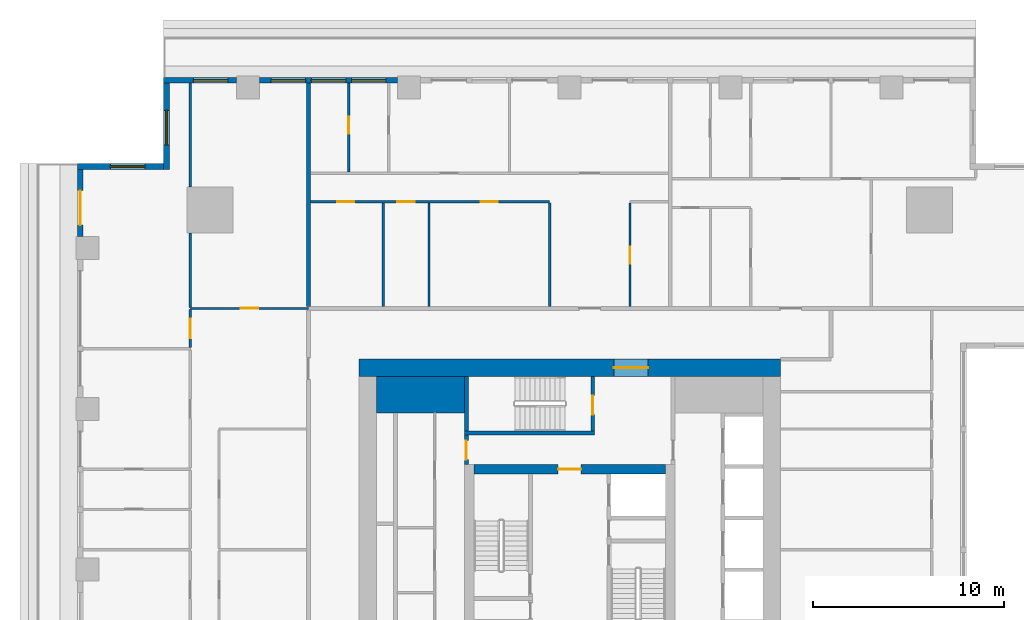
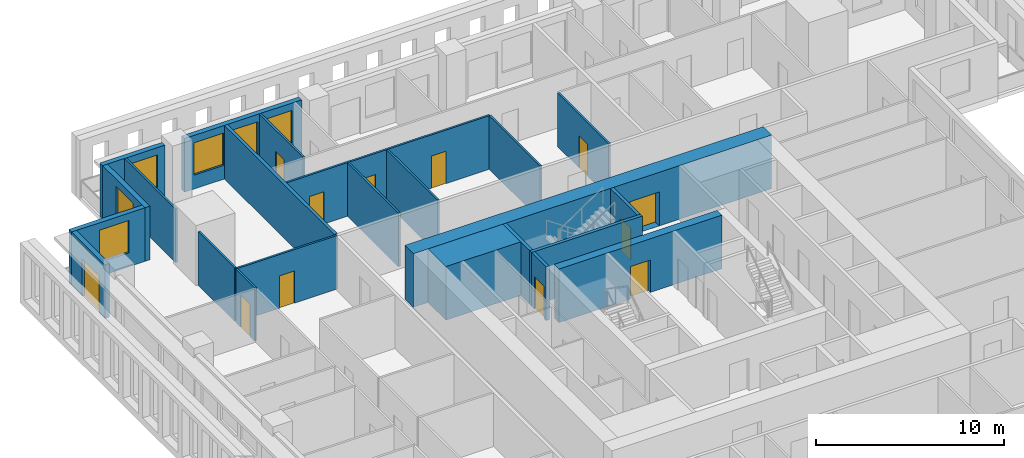
# One storey, part 7 of 15: 23 walls, 12 doors, 6 windows, 18 openings.
"""IFC4 building model written with IfcOpenShell, lengths in metres."""

from ifc_helpers import new_model, si_unit, direction, frame, frame_2d, origin, place, context, subcontext, project, spatial, rectangle, extrude, material, layer, layer_set, type_object, element, fill, save


model = new_model("IFC4")

# Units and contexts
model_context = context("Model", 3, precision=1e-05, world=origin(), true_north=direction((0.0, 1.0)))
body_context = subcontext(model_context, "Body", "Model", "MODEL_VIEW")
ifc_project = project(units=[si_unit("LENGTHUNIT", "METRE"), si_unit("AREAUNIT", "SQUARE_METRE"), si_unit("VOLUMEUNIT", "CUBIC_METRE"), si_unit("PLANEANGLEUNIT", "RADIAN"), si_unit("MASSUNIT", "GRAM", prefix="KILO")], contexts=[model_context])

# Site, building, storey
site_placement = place(None, origin())
site = spatial("IfcSite", under=ifc_project, at=site_placement, CompositionType="ELEMENT")
building_placement = place(site_placement, origin())
building = spatial("IfcBuilding", under=site, at=building_placement, Name="Khepri Terraces", CompositionType="ELEMENT")
storey_placement = place(building_placement, frame((0.0, 0.0, 223.5)))
storey = spatial("IfcBuildingStorey", under=building, at=storey_placement, Name="L53", CompositionType="ELEMENT", Elevation=223.5)

# Walls
ifc_material_1 = material(Name="Concrete C50/60", Category="concrete")
ifc_layer_1 = layer(ifc_material_1, 1.89990234375, Name="Concrete C50/60", Category="concrete")
ifc_layer_set_1 = layer_set([ifc_layer_1], Name="Concrete C50/60")
wall_type_1 = type_object("IfcWallType", Name="Core wall 1900 C50/60", PredefinedType="SHEAR", material=ifc_layer_set_1)
wall_1_placement = place(storey_placement, frame((-10.10009765625, 9.14990234375, 0.0), z_axis=(0.0, 0.0, 1.0), x_axis=(1.0, 0.0, 0.0)))
element("IfcWall", 1, at=wall_1_placement, inside=storey, type_object=wall_type_1, Name="Core wall PR03 L53", PredefinedType="SHEAR", context=body_context, shape_type="SweptSolid", body=[
    extrude(rectangle(XDim=4.60009765625, YDim=1.89990234375, at=frame_2d((2.300048828125, 0.0))), origin(), (0.0, 0.0, 1.0), 3.47998046875),
])
ifc_layer_2 = layer(ifc_material_1, 0.199951171875, Name="Concrete C50/60", Category="concrete")
ifc_layer_set_2 = layer_set([ifc_layer_2], Name="Concrete C50/60")
wall_type_2 = type_object("IfcWallType", Name="Core wall 200 C50/60", PredefinedType="SHEAR", material=ifc_layer_set_2)
wall_2_placement = place(storey_placement, frame((-5.5, 7.14990234375, 0.0), z_axis=(0.0, 0.0, 1.0), x_axis=(1.0, 0.0, 0.0)))
element("IfcWall", 2, at=wall_2_placement, inside=storey, type_object=wall_type_2, Name="Core wall ST05 L53", PredefinedType="SHEAR", context=body_context, shape_type="SweptSolid", body=[
    extrude(rectangle(XDim=6.800048828125, YDim=0.199951171875, at=frame_2d((3.39990234375, 0.0))), origin(), (0.0, 0.0, 1.0), 3.47998046875),
])
wall_3_placement = place(storey_placement, frame((-5.39990234375, 7.25, 0.0), z_axis=(0.0, 0.0, 1.0), x_axis=(0.0, 1.0, 0.0)))
element("IfcWall", 3, at=wall_3_placement, inside=storey, type_object=wall_type_2, Name="Core wall ST06 L53", PredefinedType="SHEAR", context=body_context, shape_type="SweptSolid", body=[
    extrude(rectangle(XDim=2.85009765625, YDim=0.199951171875, at=frame_2d((1.425048828125, 0.0))), origin(), (0.0, 0.0, 1.0), 3.47998046875),
])

# Wall, opening, door
wall_4_placement = place(storey_placement, frame((1.199951171875, 7.25, 0.0), z_axis=(0.0, 0.0, 1.0), x_axis=(0.0, 1.0, 0.0)))
wall_4 = element("IfcWall", 4, at=wall_4_placement, inside=storey, type_object=wall_type_2, Name="Core wall ST07 L53", PredefinedType="SHEAR", context=body_context, shape_type="SweptSolid", body=[
    extrude(rectangle(XDim=2.85009765625, YDim=0.199951171875, at=frame_2d((1.425048828125, 0.0))), origin(), (0.0, 0.0, 1.0), 3.47998046875),
])
opening_1_placement = place(wall_4_placement, frame((0.85009765625, 0.0, 0.0)))
opening_1 = element("IfcOpeningElement", 5, at=opening_1_placement, cuts=wall_4, Name="Opening L53-C15", PredefinedType="OPENING", context=body_context, shape_type="SweptSolid", body=[
    extrude(rectangle(XDim=1.0, YDim=2.10009765625, at=frame_2d((0.5, 1.050048828125))), frame((0.0, 0.10986328125, 0.0), z_axis=(0.0, -1.0, 0.0), x_axis=(1.0, 0.0, 0.0)), (0.0, 0.0, 1.0), 0.219970703125),
])
ifc_material_2 = material(Name="Painted steel", Category="steel")
door_type_1 = type_object("IfcDoorType", Name="DR-CORE-STAIR-1000", OperationType="NOTDEFINED", PredefinedType="DOOR", material=ifc_material_2)
door_1_placement = place(opening_1_placement, origin())
door_1 = element("IfcDoor", 6, at=door_1_placement, inside=storey, type_object=door_type_1, Name="Stair door L53-C15", OperationType="SINGLE_SWING_LEFT", OverallHeight=2.10009765625, OverallWidth=1.0, PredefinedType="DOOR", context=body_context, shape_type="SweptSolid", body=[
    extrude(rectangle(XDim=1.0, YDim=2.10009765625, at=frame_2d((0.5, 1.050048828125))), frame((0.0, 0.02490234375, 0.0), z_axis=(0.0, -1.0, 0.0), x_axis=(1.0, 0.0, 0.0)), (0.0, 0.0, 1.0), 0.050048828125),
])
fill(opening_1, door_1)

ifc_layer_3 = layer(ifc_material_1, 0.5, Name="Concrete C50/60", Category="concrete")
ifc_layer_set_3 = layer_set([ifc_layer_3], Name="Concrete C50/60")
wall_type_3 = type_object("IfcWallType", Name="Core wall 500 C50/60", PredefinedType="SHEAR", material=ifc_layer_set_3)
wall_5_placement = place(storey_placement, frame((-5.0, 5.25, 0.0), z_axis=(0.0, 0.0, 1.0), x_axis=(1.0, 0.0, 0.0)))
wall_5 = element("IfcWall", 7, at=wall_5_placement, inside=storey, type_object=wall_type_3, Name="Core wall BX04 L53", PredefinedType="SHEAR", context=body_context, shape_type="SweptSolid", body=[
    extrude(rectangle(XDim=10.0, YDim=0.5, at=frame_2d((5.0, 0.0))), origin(), (0.0, 0.0, 1.0), 3.47998046875),
])
opening_2_placement = place(wall_5_placement, frame((4.39990234375, 0.0, 0.0)))
opening_2 = element("IfcOpeningElement", 8, at=opening_2_placement, cuts=wall_5, Name="Opening L53-C13", PredefinedType="OPENING", context=body_context, shape_type="SweptSolid", body=[
    extrude(rectangle(XDim=1.199951171875, YDim=2.10009765625, at=frame_2d((0.60009765625, 1.050048828125))), frame((0.0, 0.260009765625, 0.0), z_axis=(0.0, -1.0, 0.0), x_axis=(1.0, 0.0, 0.0)), (0.0, 0.0, 1.0), 0.52001953125),
])
door_type_2 = type_object("IfcDoorType", Name="DR-CORE-FF-LOBBY-1200", OperationType="NOTDEFINED", PredefinedType="DOOR", material=ifc_material_2)
door_2_placement = place(opening_2_placement, frame((1.199951171875, 0.0, 0.0), z_axis=(0.0, 0.0, 1.0), x_axis=(-1.0, 0.0, 0.0)))
door_2 = element("IfcDoor", 9, at=door_2_placement, inside=storey, type_object=door_type_2, Name="Firefighting lobby door L53-C13", OperationType="SINGLE_SWING_LEFT", OverallHeight=2.10009765625, OverallWidth=1.199951171875, PredefinedType="DOOR", context=body_context, shape_type="SweptSolid", body=[
    extrude(rectangle(XDim=1.199951171875, YDim=2.10009765625, at=frame_2d((0.60009765625, 1.050048828125))), frame((0.0, 0.02490234375, 0.0), z_axis=(0.0, -1.0, 0.0), x_axis=(1.0, 0.0, 0.0)), (0.0, 0.0, 1.0), 0.050048828125),
])
fill(opening_2, door_2)

ifc_layer_4 = layer(ifc_material_1, 0.89990234375, Name="Concrete C50/60", Category="concrete")
ifc_layer_set_4 = layer_set([ifc_layer_4], Name="Concrete C50/60")
wall_type_4 = type_object("IfcWallType", Name="Core wall 900 C50/60", PredefinedType="SHEAR", material=ifc_layer_set_4)
wall_6_placement = place(storey_placement, frame((-11.0, 10.550048828125, 0.0), z_axis=(0.0, 0.0, 1.0), x_axis=(1.0, 0.0, 0.0)))
wall_6 = element("IfcWall", 10, at=wall_6_placement, inside=storey, type_object=wall_type_4, Name="Core wall OW-N L53", PredefinedType="SHEAR", context=body_context, shape_type="SweptSolid", body=[
    extrude(rectangle(XDim=22.0, YDim=0.89990234375, at=frame_2d((11.0, 0.0))), origin(), (0.0, 0.0, 1.0), 3.47998046875),
])
opening_3_placement = place(wall_6_placement, frame((13.300048828125, 0.0, 0.0)))
opening_3 = element("IfcOpeningElement", 11, at=opening_3_placement, cuts=wall_6, Name="Opening L53-C20", PredefinedType="OPENING", context=body_context, shape_type="SweptSolid", body=[
    extrude(rectangle(XDim=1.800048828125, YDim=2.199951171875, at=frame_2d((0.89990234375, 1.10009765625))), frame((0.0, 0.4599609375, 0.0), z_axis=(0.0, -1.0, 0.0), x_axis=(1.0, 0.0, 0.0)), (0.0, 0.0, 1.0), 0.919921875),
])
door_type_3 = type_object("IfcDoorType", Name="DR-CORE-ENTRANCE-1800", OperationType="NOTDEFINED", PredefinedType="DOOR", material=ifc_material_2)
door_3_placement = place(opening_3_placement, origin())
door_3 = element("IfcDoor", 12, at=door_3_placement, inside=storey, type_object=door_type_3, Name="Core entrance door pair L53-C20", OperationType="DOUBLE_DOOR_SINGLE_SWING", OverallHeight=2.199951171875, OverallWidth=1.800048828125, PredefinedType="DOOR", context=body_context, shape_type="SweptSolid", body=[
    extrude(rectangle(XDim=1.800048828125, YDim=2.199951171875, at=frame_2d((0.89990234375, 1.10009765625))), frame((0.0, 0.02490234375, 0.0), z_axis=(0.0, -1.0, 0.0), x_axis=(1.0, 0.0, 0.0)), (0.0, 0.0, 1.0), 0.050048828125),
])
fill(opening_3, door_3)

ifc_material_3 = material(Name="Fire-rated gypsum board partition")
ifc_layer_5 = layer(ifc_material_3, 0.199951171875, Name="Fire-rated gypsum board partition")
ifc_layer_set_5 = layer_set([ifc_layer_5], Name="Fire-rated gypsum board partition")
wall_type_5 = type_object("IfcWallType", Name="WL-CORE-PART-200", PredefinedType="PARTITIONING", material=ifc_layer_set_5)
wall_7_placement = place(storey_placement, frame((-5.39990234375, 5.5, 0.0), z_axis=(0.0, 0.0, 1.0), x_axis=(0.0, 1.0, 0.0)))
wall_7 = element("IfcWall", 13, at=wall_7_placement, inside=storey, type_object=wall_type_5, Name="Core partition PT11 L53", PredefinedType="PARTITIONING", context=body_context, shape_type="SweptSolid", body=[
    extrude(rectangle(XDim=1.550048828125, YDim=0.199951171875, at=frame_2d((0.77490234375, 0.0))), origin(), (0.0, 0.0, 1.0), 3.47998046875),
])
opening_4_placement = place(wall_7_placement, frame((0.25, 0.0, 0.0)))
opening_4 = element("IfcOpeningElement", 14, at=opening_4_placement, cuts=wall_7, Name="Opening L53-C16", PredefinedType="OPENING", context=body_context, shape_type="SweptSolid", body=[
    extrude(rectangle(XDim=1.0, YDim=2.10009765625, at=frame_2d((0.5, 1.050048828125))), frame((0.0, 0.10986328125, 0.0), z_axis=(0.0, -1.0, 0.0), x_axis=(1.0, 0.0, 0.0)), (0.0, 0.0, 1.0), 0.219970703125),
])
door_type_4 = type_object("IfcDoorType", Name="DR-CORE-LOBBY-1000", OperationType="NOTDEFINED", PredefinedType="DOOR", material=ifc_material_2)
door_4_placement = place(opening_4_placement, frame((1.0, 0.0, 0.0), z_axis=(0.0, 0.0, 1.0), x_axis=(-1.0, 0.0, 0.0)))
door_4 = element("IfcDoor", 15, at=door_4_placement, inside=storey, type_object=door_type_4, Name="Lobby door L53-C16", OperationType="SINGLE_SWING_RIGHT", OverallHeight=2.10009765625, OverallWidth=1.0, PredefinedType="DOOR", context=body_context, shape_type="SweptSolid", body=[
    extrude(rectangle(XDim=1.0, YDim=2.10009765625, at=frame_2d((0.5, 1.050048828125))), frame((0.0, 0.02490234375, 0.0), z_axis=(0.0, -1.0, 0.0), x_axis=(1.0, 0.0, 0.0)), (0.0, 0.0, 1.0), 0.050048828125),
])
fill(opening_4, door_4)

# Wall
ifc_material_4 = material(Name="Fire-rated gypsum plasterboard partition, mineral wool")
ifc_layer_6 = layer(ifc_material_4, 0.199951171875, Name="Fire-rated gypsum plasterboard partition, mineral wool")
ifc_layer_set_6 = layer_set([ifc_layer_6], Name="Fire-rated gypsum plasterboard partition, mineral wool")
wall_type_6 = type_object("IfcWallType", Name="WL-CORR-200", PredefinedType="PARTITIONING", material=ifc_layer_set_6)
wall_8_placement = place(storey_placement, frame((-13.64990234375, 13.75, 0.0), z_axis=(0.0, 0.0, 1.0), x_axis=(0.0, 1.0, 0.0)))
element("IfcWall", 16, at=wall_8_placement, inside=storey, type_object=wall_type_6, Name="Partition P-072 L53", PredefinedType="PARTITIONING", context=body_context, shape_type="SweptSolid", body=[
    extrude(rectangle(XDim=11.669921875, YDim=0.199951171875, at=frame_2d((5.8349609375, 0.0))), origin(), (0.0, 0.0, 1.0), 3.47998046875),
])

# Wall, openings, windows
ifc_material_5 = material(Name="Precast concrete C50/60 warm stone", Category="masonry")
ifc_layer_7 = layer(ifc_material_5, 0.300048828125, Name="Precast concrete C50/60 warm stone", Category="masonry")
ifc_layer_set_7 = layer_set([ifc_layer_7], Name="Precast concrete C50/60 warm stone")
wall_type_7 = type_object("IfcWallType", Name="WL-EXT-PRECAST-300", PredefinedType="STANDARD", material=ifc_layer_set_7)
wall_9_placement = place(storey_placement, frame((-9.0, 25.570068359375, 0.0), z_axis=(0.0, 0.0, 1.0), x_axis=(-1.0, 0.0, 0.0)))
wall_9 = element("IfcWall", 17, at=wall_9_placement, inside=storey, type_object=wall_type_7, Name="External wall L53 N", PredefinedType="STANDARD", context=body_context, shape_type="SweptSolid", body=[
    extrude(rectangle(XDim=7.199951171875, YDim=0.300048828125, at=frame_2d((3.60009765625, 0.0))), origin(), (0.0, 0.0, 1.0), 3.47998046875),
])
opening_5_placement = place(wall_9_placement, frame((0.60009765625, 0.0, 0.89990234375)))
opening_5 = element("IfcOpeningElement", 18, at=opening_5_placement, cuts=wall_9, Name="Opening W1", PredefinedType="OPENING", context=body_context, shape_type="SweptSolid", body=[
    extrude(rectangle(XDim=1.800048828125, YDim=2.10009765625, at=frame_2d((0.89990234375, 1.050048828125))), frame((0.0, 0.16015625, 0.0), z_axis=(0.0, -1.0, 0.0), x_axis=(1.0, 0.0, 0.0)), (0.0, 0.0, 1.0), 0.320068359375),
])
opening_6_placement = place(wall_9_placement, frame((2.699951171875, 0.0, 0.89990234375)))
opening_6 = element("IfcOpeningElement", 19, at=opening_6_placement, cuts=wall_9, Name="Opening W1", PredefinedType="OPENING", context=body_context, shape_type="SweptSolid", body=[
    extrude(rectangle(XDim=1.800048828125, YDim=2.10009765625, at=frame_2d((0.89990234375, 1.050048828125))), frame((0.0, 0.16015625, 0.0), z_axis=(0.0, -1.0, 0.0), x_axis=(1.0, 0.0, 0.0)), (0.0, 0.0, 1.0), 0.320068359375),
])
opening_7_placement = place(wall_9_placement, frame((4.800048828125, 0.0, 0.89990234375)))
opening_7 = element("IfcOpeningElement", 20, at=opening_7_placement, cuts=wall_9, Name="Opening W1", PredefinedType="OPENING", context=body_context, shape_type="SweptSolid", body=[
    extrude(rectangle(XDim=1.800048828125, YDim=2.10009765625, at=frame_2d((0.89990234375, 1.050048828125))), frame((0.0, 0.16015625, 0.0), z_axis=(0.0, -1.0, 0.0), x_axis=(1.0, 0.0, 0.0)), (0.0, 0.0, 1.0), 0.320068359375),
])
ifc_material_6 = material(Name="Clear glass", Category="glass")
window_type = type_object("IfcWindowType", Name="WIN-RES-1800x2100", PartitioningType="SINGLE_PANEL", PredefinedType="WINDOW", material=ifc_material_6)
window_1_placement = place(opening_5_placement, origin())
window_1 = element("IfcWindow", 21, at=window_1_placement, inside=storey, type_object=window_type, Name="Window L53 N", OverallHeight=2.10009765625, OverallWidth=1.800048828125, PartitioningType="SINGLE_PANEL", PredefinedType="WINDOW", context=body_context, shape_type="SweptSolid", body=[
    extrude(rectangle(XDim=1.800048828125, YDim=2.10009765625, at=frame_2d((0.89990234375, 1.050048828125))), frame((0.0, 0.030029296875, 0.0), z_axis=(0.0, -1.0, 0.0), x_axis=(1.0, 0.0, 0.0)), (0.0, 0.0, 1.0), 0.06005859375),
])
fill(opening_5, window_1)
window_2_placement = place(opening_6_placement, origin())
window_2 = element("IfcWindow", 22, at=window_2_placement, inside=storey, type_object=window_type, Name="Window L53 N", OverallHeight=2.10009765625, OverallWidth=1.800048828125, PartitioningType="SINGLE_PANEL", PredefinedType="WINDOW", context=body_context, shape_type="SweptSolid", body=[
    extrude(rectangle(XDim=1.800048828125, YDim=2.10009765625, at=frame_2d((0.89990234375, 1.050048828125))), frame((0.0, 0.030029296875, 0.0), z_axis=(0.0, -1.0, 0.0), x_axis=(1.0, 0.0, 0.0)), (0.0, 0.0, 1.0), 0.06005859375),
])
fill(opening_6, window_2)
window_3_placement = place(opening_7_placement, origin())
window_3 = element("IfcWindow", 23, at=window_3_placement, inside=storey, type_object=window_type, Name="Window L53 N", OverallHeight=2.10009765625, OverallWidth=1.800048828125, PartitioningType="SINGLE_PANEL", PredefinedType="WINDOW", context=body_context, shape_type="SweptSolid", body=[
    extrude(rectangle(XDim=1.800048828125, YDim=2.10009765625, at=frame_2d((0.89990234375, 1.050048828125))), frame((0.0, 0.030029296875, 0.0), z_axis=(0.0, -1.0, 0.0), x_axis=(1.0, 0.0, 0.0)), (0.0, 0.0, 1.0), 0.06005859375),
])
fill(opening_7, window_3)

# Wall, opening, window
wall_10_placement = place(storey_placement, frame((-17.39990234375, 25.570068359375, 0.0), z_axis=(0.0, 0.0, 1.0), x_axis=(-1.0, 0.0, 0.0)))
wall_10 = element("IfcWall", 24, at=wall_10_placement, inside=storey, type_object=wall_type_7, Name="External wall L53 N", PredefinedType="STANDARD", context=body_context, shape_type="SweptSolid", body=[
    extrude(rectangle(XDim=3.820068359375, YDim=0.300048828125, at=frame_2d((1.91015625, 0.0))), origin(), (0.0, 0.0, 1.0), 3.47998046875),
])
opening_8_placement = place(wall_10_placement, frame((0.4599609375, 0.0, 0.89990234375)))
opening_8 = element("IfcOpeningElement", 25, at=opening_8_placement, cuts=wall_10, Name="Opening W1", PredefinedType="OPENING", context=body_context, shape_type="SweptSolid", body=[
    extrude(rectangle(XDim=1.800048828125, YDim=2.10009765625, at=frame_2d((0.89990234375, 1.050048828125))), frame((0.0, 0.16015625, 0.0), z_axis=(0.0, -1.0, 0.0), x_axis=(1.0, 0.0, 0.0)), (0.0, 0.0, 1.0), 0.320068359375),
])
window_4_placement = place(opening_8_placement, origin())
window_4 = element("IfcWindow", 26, at=window_4_placement, inside=storey, type_object=window_type, Name="Window L53 N", OverallHeight=2.10009765625, OverallWidth=1.800048828125, PartitioningType="SINGLE_PANEL", PredefinedType="WINDOW", context=body_context, shape_type="SweptSolid", body=[
    extrude(rectangle(XDim=1.800048828125, YDim=2.10009765625, at=frame_2d((0.89990234375, 1.050048828125))), frame((0.0, 0.030029296875, 0.0), z_axis=(0.0, -1.0, 0.0), x_axis=(1.0, 0.0, 0.0)), (0.0, 0.0, 1.0), 0.06005859375),
])
fill(opening_8, window_4)

wall_11_placement = place(storey_placement, frame((-21.070068359375, 25.419921875, 0.0), z_axis=(0.0, 0.0, 1.0), x_axis=(0.0, -1.0, 0.0)))
wall_11 = element("IfcWall", 27, at=wall_11_placement, inside=storey, type_object=wall_type_7, Name="External wall L53 W", PredefinedType="STANDARD", context=body_context, shape_type="SweptSolid", body=[
    extrude(rectangle(XDim=4.5, YDim=0.300048828125, at=frame_2d((2.25, 0.0))), origin(), (0.0, 0.0, 1.0), 3.47998046875),
])
opening_9_placement = place(wall_11_placement, frame((1.419921875, 0.0, 0.89990234375)))
opening_9 = element("IfcOpeningElement", 28, at=opening_9_placement, cuts=wall_11, Name="Opening W1", PredefinedType="OPENING", context=body_context, shape_type="SweptSolid", body=[
    extrude(rectangle(XDim=1.800048828125, YDim=2.10009765625, at=frame_2d((0.89990234375, 1.050048828125))), frame((0.0, 0.16015625, 0.0), z_axis=(0.0, -1.0, 0.0), x_axis=(1.0, 0.0, 0.0)), (0.0, 0.0, 1.0), 0.320068359375),
])
window_5_placement = place(opening_9_placement, origin())
window_5 = element("IfcWindow", 29, at=window_5_placement, inside=storey, type_object=window_type, Name="Window L53 W", OverallHeight=2.10009765625, OverallWidth=1.800048828125, PartitioningType="SINGLE_PANEL", PredefinedType="WINDOW", context=body_context, shape_type="SweptSolid", body=[
    extrude(rectangle(XDim=1.800048828125, YDim=2.10009765625, at=frame_2d((0.89990234375, 1.050048828125))), frame((0.0, 0.030029296875, 0.0), z_axis=(0.0, -1.0, 0.0), x_axis=(1.0, 0.0, 0.0)), (0.0, 0.0, 1.0), 0.06005859375),
])
fill(opening_9, window_5)

wall_12_placement = place(storey_placement, frame((-21.219970703125, 21.070068359375, 0.0), z_axis=(0.0, 0.0, 1.0), x_axis=(-1.0, 0.0, 0.0)))
wall_12 = element("IfcWall", 30, at=wall_12_placement, inside=storey, type_object=wall_type_7, Name="External wall L53 N", PredefinedType="STANDARD", context=body_context, shape_type="SweptSolid", body=[
    extrude(rectangle(XDim=4.5, YDim=0.300048828125, at=frame_2d((2.25, 0.0))), origin(), (0.0, 0.0, 1.0), 3.47998046875),
])
opening_10_placement = place(wall_12_placement, frame((0.97998046875, 0.0, 0.89990234375)))
opening_10 = element("IfcOpeningElement", 31, at=opening_10_placement, cuts=wall_12, Name="Opening W1", PredefinedType="OPENING", context=body_context, shape_type="SweptSolid", body=[
    extrude(rectangle(XDim=1.800048828125, YDim=2.10009765625, at=frame_2d((0.89990234375, 1.050048828125))), frame((0.0, 0.16015625, 0.0), z_axis=(0.0, -1.0, 0.0), x_axis=(1.0, 0.0, 0.0)), (0.0, 0.0, 1.0), 0.320068359375),
])
window_6_placement = place(opening_10_placement, origin())
window_6 = element("IfcWindow", 32, at=window_6_placement, inside=storey, type_object=window_type, Name="Window L53 N", OverallHeight=2.10009765625, OverallWidth=1.800048828125, PartitioningType="SINGLE_PANEL", PredefinedType="WINDOW", context=body_context, shape_type="SweptSolid", body=[
    extrude(rectangle(XDim=1.800048828125, YDim=2.10009765625, at=frame_2d((0.89990234375, 1.050048828125))), frame((0.0, 0.030029296875, 0.0), z_axis=(0.0, -1.0, 0.0), x_axis=(1.0, 0.0, 0.0)), (0.0, 0.0, 1.0), 0.06005859375),
])
fill(opening_10, window_6)

# Wall, opening, door
wall_13_placement = place(storey_placement, frame((-25.570068359375, 20.919921875, 0.0), z_axis=(0.0, 0.0, 1.0), x_axis=(0.0, -1.0, 0.0)))
wall_13 = element("IfcWall", 33, at=wall_13_placement, inside=storey, type_object=wall_type_7, Name="External wall L53 W", PredefinedType="STANDARD", context=body_context, shape_type="SweptSolid", body=[
    extrude(rectangle(XDim=3.52001953125, YDim=0.300048828125, at=frame_2d((1.760009765625, 0.0))), origin(), (0.0, 0.0, 1.0), 3.47998046875),
])
opening_11_placement = place(wall_13_placement, frame((1.1201171875, 0.0, 0.0)))
opening_11 = element("IfcOpeningElement", 34, at=opening_11_placement, cuts=wall_13, Name="Opening ED-L53-10", PredefinedType="OPENING", context=body_context, shape_type="SweptSolid", body=[
    extrude(rectangle(XDim=1.800048828125, YDim=2.39990234375, at=frame_2d((0.89990234375, 1.199951171875))), frame((0.0, 0.16015625, 0.0), z_axis=(0.0, -1.0, 0.0), x_axis=(1.0, 0.0, 0.0)), (0.0, 0.0, 1.0), 0.320068359375),
])
ifc_material_7 = material(Name="Anodised aluminium bronze glazed door", Category="aluminium")
door_type_5 = type_object("IfcDoorType", Name="DR-BAL-SLIDE-1800x2400", OperationType="NOTDEFINED", PredefinedType="DOOR", material=ifc_material_7)
door_5_placement = place(opening_11_placement, origin())
door_5 = element("IfcDoor", 35, at=door_5_placement, inside=storey, type_object=door_type_5, Name="Balcony door L53 W", OperationType="SLIDING_TO_RIGHT", OverallHeight=2.39990234375, OverallWidth=1.800048828125, PredefinedType="DOOR", context=body_context, shape_type="SweptSolid", body=[
    extrude(rectangle(XDim=1.800048828125, YDim=2.39990234375, at=frame_2d((0.89990234375, 1.199951171875))), frame((0.0, 0.02490234375, 0.0), z_axis=(0.0, -1.0, 0.0), x_axis=(1.0, 0.0, 0.0)), (0.0, 0.0, 1.0), 0.050048828125),
])
fill(opening_11, door_5)

ifc_material_8 = material(Name="Gypsum plasterboard partition")
ifc_layer_8 = layer(ifc_material_8, 0.1201171875, Name="Gypsum plasterboard partition")
ifc_layer_set_8 = layer_set([ifc_layer_8], Name="Gypsum plasterboard partition")
wall_type_8 = type_object("IfcWallType", Name="WL-PART-120", PredefinedType="PARTITIONING", material=ifc_layer_set_8)
wall_14_placement = place(storey_placement, frame((-19.820068359375, 11.610107421875, 0.0), z_axis=(0.0, 0.0, 1.0), x_axis=(0.0, 1.0, 0.0)))
wall_14 = element("IfcWall", 36, at=wall_14_placement, inside=storey, type_object=wall_type_8, Name="Partition P-068 L53", PredefinedType="PARTITIONING", context=body_context, shape_type="SweptSolid", body=[
    extrude(rectangle(XDim=1.97998046875, YDim=0.1201171875, at=frame_2d((0.989990234375, 0.0))), origin(), (0.0, 0.0, 1.0), 3.47998046875),
])
opening_12_placement = place(wall_14_placement, frame((0.489990234375, 0.0, 0.0)))
opening_12 = element("IfcOpeningElement", 37, at=opening_12_placement, cuts=wall_14, Name="Opening D2", PredefinedType="OPENING", context=body_context, shape_type="SweptSolid", body=[
    extrude(rectangle(XDim=1.0, YDim=2.10009765625, at=frame_2d((0.5, 1.050048828125))), frame((0.0, 0.070068359375, 0.0), z_axis=(0.0, -1.0, 0.0), x_axis=(1.0, 0.0, 0.0)), (0.0, 0.0, 1.0), 0.14013671875),
])
ifc_material_9 = material(Name="Timber door leaf, living room door", Category="wood")
door_type_6 = type_object("IfcDoorType", Name="DR-INT-1000", OperationType="NOTDEFINED", PredefinedType="DOOR", material=ifc_material_9)
door_6_placement = place(opening_12_placement, origin())
door_6 = element("IfcDoor", 38, at=door_6_placement, inside=storey, type_object=door_type_6, Name="Door Living Room", OperationType="SINGLE_SWING_RIGHT", OverallHeight=2.10009765625, OverallWidth=1.0, PredefinedType="DOOR", context=body_context, shape_type="SweptSolid", body=[
    extrude(rectangle(XDim=1.0, YDim=2.10009765625, at=frame_2d((0.5, 1.050048828125))), frame((0.0, 0.02490234375, 0.0), z_axis=(0.0, -1.0, 0.0), x_axis=(1.0, 0.0, 0.0)), (0.0, 0.0, 1.0), 0.050048828125),
])
fill(opening_12, door_6)

wall_15_placement = place(storey_placement, frame((-19.820068359375, 13.64990234375, 0.0), z_axis=(0.0, 0.0, 1.0), x_axis=(1.0, 0.0, 0.0)))
wall_15 = element("IfcWall", 39, at=wall_15_placement, inside=storey, type_object=wall_type_8, Name="Partition P-069 L53", PredefinedType="PARTITIONING", context=body_context, shape_type="SweptSolid", body=[
    extrude(rectangle(XDim=6.170166015625, YDim=0.1201171875, at=frame_2d((3.0849609375, 0.0))), origin(), (0.0, 0.0, 1.0), 3.47998046875),
])
opening_13_placement = place(wall_15_placement, frame((2.635009765625, 0.0, 0.0)))
opening_13 = element("IfcOpeningElement", 40, at=opening_13_placement, cuts=wall_15, Name="Opening D3", PredefinedType="OPENING", context=body_context, shape_type="SweptSolid", body=[
    extrude(rectangle(XDim=0.89990234375, YDim=2.10009765625, at=frame_2d((0.449951171875, 1.050048828125))), frame((0.0, 0.070068359375, 0.0), z_axis=(0.0, -1.0, 0.0), x_axis=(1.0, 0.0, 0.0)), (0.0, 0.0, 1.0), 0.14013671875),
])
ifc_material_10 = material(Name="Timber door leaf", Category="wood")
door_type_7 = type_object("IfcDoorType", Name="DR-INT-900", OperationType="NOTDEFINED", PredefinedType="DOOR", material=ifc_material_10)
door_7_placement = place(opening_13_placement, origin())
door_7 = element("IfcDoor", 41, at=door_7_placement, inside=storey, type_object=door_type_7, Name="Door Home Cinema", OperationType="SINGLE_SWING_RIGHT", OverallHeight=2.10009765625, OverallWidth=0.89990234375, PredefinedType="DOOR", context=body_context, shape_type="SweptSolid", body=[
    extrude(rectangle(XDim=0.89990234375, YDim=2.10009765625, at=frame_2d((0.449951171875, 1.050048828125))), frame((0.0, 0.02490234375, 0.0), z_axis=(0.0, -1.0, 0.0), x_axis=(1.0, 0.0, 0.0)), (0.0, 0.0, 1.0), 0.050048828125),
])
fill(opening_13, door_7)

# Walls
wall_16_placement = place(storey_placement, frame((-19.820068359375, 13.7099609375, 0.0), z_axis=(0.0, 0.0, 1.0), x_axis=(0.0, 1.0, 0.0)))
element("IfcWall", 42, at=wall_16_placement, inside=storey, type_object=wall_type_8, Name="Partition P-071 L53", PredefinedType="PARTITIONING", context=body_context, shape_type="SweptSolid", body=[
    extrude(rectangle(XDim=3.89013671875, YDim=0.1201171875, at=frame_2d((1.945068359375, 0.0))), origin(), (0.0, 0.0, 1.0), 3.47998046875),
])
for number, where, z_axis, x_axis, name in (
    (43, (-9.75, 13.75, 0.0), (0.0, 0.0, 1.0), (0.0, 1.0, 0.0), "Partition P-073 L53"),
    (44, (-7.35009765625, 13.75, 0.0), (0.0, 0.0, 1.0), (0.0, 1.0, 0.0), "Partition P-074 L53"),
    (45, (-1.050048828125, 13.75, 0.0), (0.0, 0.0, 1.0), (0.0, 1.0, 0.0), "Partition P-075 L53"),
):
    element("IfcWall", number, at=place(storey_placement, frame(where, z_axis=z_axis, x_axis=x_axis)), inside=storey, type_object=wall_type_8, Name=name, PredefinedType="PARTITIONING", context=body_context, shape_type="SweptSolid", body=[
        extrude(rectangle(XDim=5.409912109375, YDim=0.1201171875, at=frame_2d((2.705078125, 0.0))), origin(), (0.0, 0.0, 1.0), 3.47998046875),
    ])

# Wall, opening, door
wall_17_placement = place(storey_placement, frame((3.14990234375, 13.75, 0.0), z_axis=(0.0, 0.0, 1.0), x_axis=(0.0, 1.0, 0.0)))
wall_17 = element("IfcWall", 46, at=wall_17_placement, inside=storey, type_object=wall_type_8, Name="Partition P-076 L53", PredefinedType="PARTITIONING", context=body_context, shape_type="SweptSolid", body=[
    extrude(rectangle(XDim=5.409912109375, YDim=0.1201171875, at=frame_2d((2.705078125, 0.0))), origin(), (0.0, 0.0, 1.0), 3.47998046875),
])
opening_14_placement = place(wall_17_placement, frame((2.235107421875, 0.0, 0.0)))
opening_14 = element("IfcOpeningElement", 47, at=opening_14_placement, cuts=wall_17, Name="Opening D4", PredefinedType="OPENING", context=body_context, shape_type="SweptSolid", body=[
    extrude(rectangle(XDim=0.89990234375, YDim=2.10009765625, at=frame_2d((0.449951171875, 1.050048828125))), frame((0.0, 0.070068359375, 0.0), z_axis=(0.0, -1.0, 0.0), x_axis=(1.0, 0.0, 0.0)), (0.0, 0.0, 1.0), 0.14013671875),
])
ifc_material_11 = material(Name="Timber door leaf, moisture resistant", Category="wood")
door_type_8 = type_object("IfcDoorType", Name="DR-WET-900", OperationType="NOTDEFINED", PredefinedType="DOOR", material=ifc_material_11)
door_8_placement = place(opening_14_placement, frame((0.89990234375, 0.0, 0.0), z_axis=(0.0, 0.0, 1.0), x_axis=(-1.0, 0.0, 0.0)))
door_8 = element("IfcDoor", 48, at=door_8_placement, inside=storey, type_object=door_type_8, Name="Door Guest Bathroom", OperationType="SINGLE_SWING_RIGHT", OverallHeight=2.10009765625, OverallWidth=0.89990234375, PredefinedType="DOOR", context=body_context, shape_type="SweptSolid", body=[
    extrude(rectangle(XDim=0.89990234375, YDim=2.10009765625, at=frame_2d((0.449951171875, 1.050048828125))), frame((0.0, 0.02490234375, 0.0), z_axis=(0.0, -1.0, 0.0), x_axis=(1.0, 0.0, 0.0)), (0.0, 0.0, 1.0), 0.050048828125),
])
fill(opening_14, door_8)

# Wall, openings, doors
wall_18_placement = place(storey_placement, frame((-13.550048828125, 19.219970703125, 0.0), z_axis=(0.0, 0.0, 1.0), x_axis=(1.0, 0.0, 0.0)))
wall_18 = element("IfcWall", 49, at=wall_18_placement, inside=storey, type_object=wall_type_8, Name="Partition P-082 L53", PredefinedType="PARTITIONING", context=body_context, shape_type="SweptSolid", body=[
    extrude(rectangle(XDim=12.5, YDim=0.1201171875, at=frame_2d((6.25, 0.0))), origin(), (0.0, 0.0, 1.0), 3.47998046875),
])
opening_15_placement = place(wall_18_placement, frame((8.89990234375, 0.0, 0.0)))
opening_15 = element("IfcOpeningElement", 50, at=opening_15_placement, cuts=wall_18, Name="Opening D3", PredefinedType="OPENING", context=body_context, shape_type="SweptSolid", body=[
    extrude(rectangle(XDim=0.89990234375, YDim=2.10009765625, at=frame_2d((0.449951171875, 1.050048828125))), frame((0.0, 0.070068359375, 0.0), z_axis=(0.0, -1.0, 0.0), x_axis=(1.0, 0.0, 0.0)), (0.0, 0.0, 1.0), 0.14013671875),
])
opening_16_placement = place(wall_18_placement, frame((4.550048828125, 0.0, 0.0)))
opening_16 = element("IfcOpeningElement", 51, at=opening_16_placement, cuts=wall_18, Name="Opening D4", PredefinedType="OPENING", context=body_context, shape_type="SweptSolid", body=[
    extrude(rectangle(XDim=0.89990234375, YDim=2.10009765625, at=frame_2d((0.449951171875, 1.050048828125))), frame((0.0, 0.070068359375, 0.0), z_axis=(0.0, -1.0, 0.0), x_axis=(1.0, 0.0, 0.0)), (0.0, 0.0, 1.0), 0.14013671875),
])
opening_17_placement = place(wall_18_placement, frame((1.39990234375, 0.0, 0.0)))
opening_17 = element("IfcOpeningElement", 52, at=opening_17_placement, cuts=wall_18, Name="Opening D3", PredefinedType="OPENING", context=body_context, shape_type="SweptSolid", body=[
    extrude(rectangle(XDim=0.89990234375, YDim=2.10009765625, at=frame_2d((0.449951171875, 1.050048828125))), frame((0.0, 0.070068359375, 0.0), z_axis=(0.0, -1.0, 0.0), x_axis=(1.0, 0.0, 0.0)), (0.0, 0.0, 1.0), 0.14013671875),
])
door_9_placement = place(opening_15_placement, frame((0.89990234375, 0.0, 0.0), z_axis=(0.0, 0.0, 1.0), x_axis=(-1.0, 0.0, 0.0)))
door_9 = element("IfcDoor", 53, at=door_9_placement, inside=storey, type_object=door_type_7, Name="Door Kitchen", OperationType="SINGLE_SWING_LEFT", OverallHeight=2.10009765625, OverallWidth=0.89990234375, PredefinedType="DOOR", context=body_context, shape_type="SweptSolid", body=[
    extrude(rectangle(XDim=0.89990234375, YDim=2.10009765625, at=frame_2d((0.449951171875, 1.050048828125))), frame((0.0, 0.02490234375, 0.0), z_axis=(0.0, -1.0, 0.0), x_axis=(1.0, 0.0, 0.0)), (0.0, 0.0, 1.0), 0.050048828125),
])
fill(opening_15, door_9)
door_10_placement = place(opening_17_placement, frame((0.89990234375, 0.0, 0.0), z_axis=(0.0, 0.0, 1.0), x_axis=(-1.0, 0.0, 0.0)))
door_10 = element("IfcDoor", 54, at=door_10_placement, inside=storey, type_object=door_type_7, Name="Door Utility Room", OperationType="SINGLE_SWING_RIGHT", OverallHeight=2.10009765625, OverallWidth=0.89990234375, PredefinedType="DOOR", context=body_context, shape_type="SweptSolid", body=[
    extrude(rectangle(XDim=0.89990234375, YDim=2.10009765625, at=frame_2d((0.449951171875, 1.050048828125))), frame((0.0, 0.02490234375, 0.0), z_axis=(0.0, -1.0, 0.0), x_axis=(1.0, 0.0, 0.0)), (0.0, 0.0, 1.0), 0.050048828125),
])
fill(opening_17, door_10)
door_11_placement = place(opening_16_placement, frame((0.89990234375, 0.0, 0.0), z_axis=(0.0, 0.0, 1.0), x_axis=(-1.0, 0.0, 0.0)))
door_11 = element("IfcDoor", 55, at=door_11_placement, inside=storey, type_object=door_type_8, Name="Door Powder Room", OperationType="SINGLE_SWING_RIGHT", OverallHeight=2.10009765625, OverallWidth=0.89990234375, PredefinedType="DOOR", context=body_context, shape_type="SweptSolid", body=[
    extrude(rectangle(XDim=0.89990234375, YDim=2.10009765625, at=frame_2d((0.449951171875, 1.050048828125))), frame((0.0, 0.02490234375, 0.0), z_axis=(0.0, -1.0, 0.0), x_axis=(1.0, 0.0, 0.0)), (0.0, 0.0, 1.0), 0.050048828125),
])
fill(opening_16, door_11)

# Wall
wall_19_placement = place(storey_placement, frame((-19.820068359375, 20.0, 0.0), z_axis=(0.0, 0.0, 1.0), x_axis=(0.0, 1.0, 0.0)))
element("IfcWall", 56, at=wall_19_placement, inside=storey, type_object=wall_type_8, Name="Partition P-084 L53", PredefinedType="PARTITIONING", context=body_context, shape_type="SweptSolid", body=[
    extrude(rectangle(XDim=5.419921875, YDim=0.1201171875, at=frame_2d((2.7099609375, 0.0))), origin(), (0.0, 0.0, 1.0), 3.47998046875),
])

# Wall, opening, door
wall_20_placement = place(storey_placement, frame((-11.550048828125, 20.780029296875, 0.0), z_axis=(0.0, 0.0, 1.0), x_axis=(0.0, 1.0, 0.0)))
wall_20 = element("IfcWall", 57, at=wall_20_placement, inside=storey, type_object=wall_type_8, Name="Partition P-091 L53", PredefinedType="PARTITIONING", context=body_context, shape_type="SweptSolid", body=[
    extrude(rectangle(XDim=4.639892578125, YDim=0.1201171875, at=frame_2d((2.31982421875, 0.0))), origin(), (0.0, 0.0, 1.0), 3.47998046875),
])
opening_18_placement = place(wall_20_placement, frame((1.989990234375, 0.0, 0.0)))
opening_18 = element("IfcOpeningElement", 58, at=opening_18_placement, cuts=wall_20, Name="Opening D4", PredefinedType="OPENING", context=body_context, shape_type="SweptSolid", body=[
    extrude(rectangle(XDim=0.89990234375, YDim=2.10009765625, at=frame_2d((0.449951171875, 1.050048828125))), frame((0.0, 0.070068359375, 0.0), z_axis=(0.0, -1.0, 0.0), x_axis=(1.0, 0.0, 0.0)), (0.0, 0.0, 1.0), 0.14013671875),
])
door_12_placement = place(opening_18_placement, origin())
door_12 = element("IfcDoor", 59, at=door_12_placement, inside=storey, type_object=door_type_8, Name="Door Bathroom", OperationType="SINGLE_SWING_RIGHT", OverallHeight=2.10009765625, OverallWidth=0.89990234375, PredefinedType="DOOR", context=body_context, shape_type="SweptSolid", body=[
    extrude(rectangle(XDim=0.89990234375, YDim=2.10009765625, at=frame_2d((0.449951171875, 1.050048828125))), frame((0.0, 0.02490234375, 0.0), z_axis=(0.0, -1.0, 0.0), x_axis=(1.0, 0.0, 0.0)), (0.0, 0.0, 1.0), 0.050048828125),
])
fill(opening_18, door_12)

save(model, "model.ifc")
